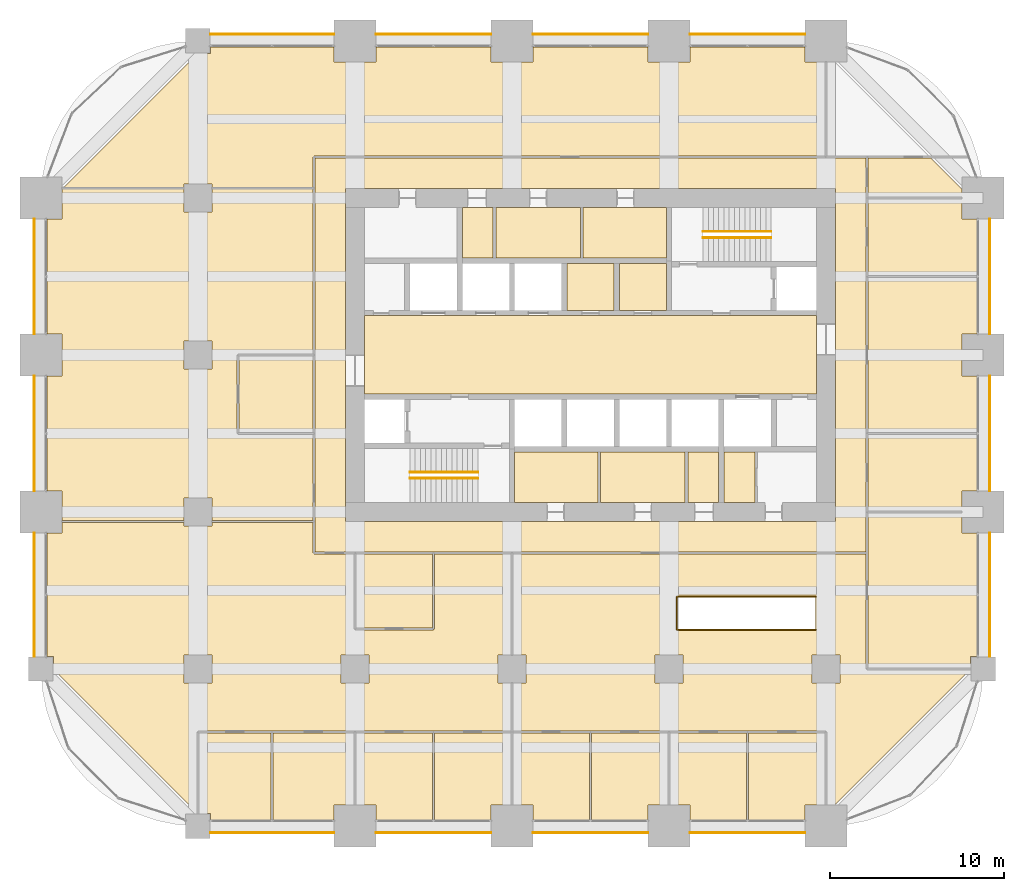
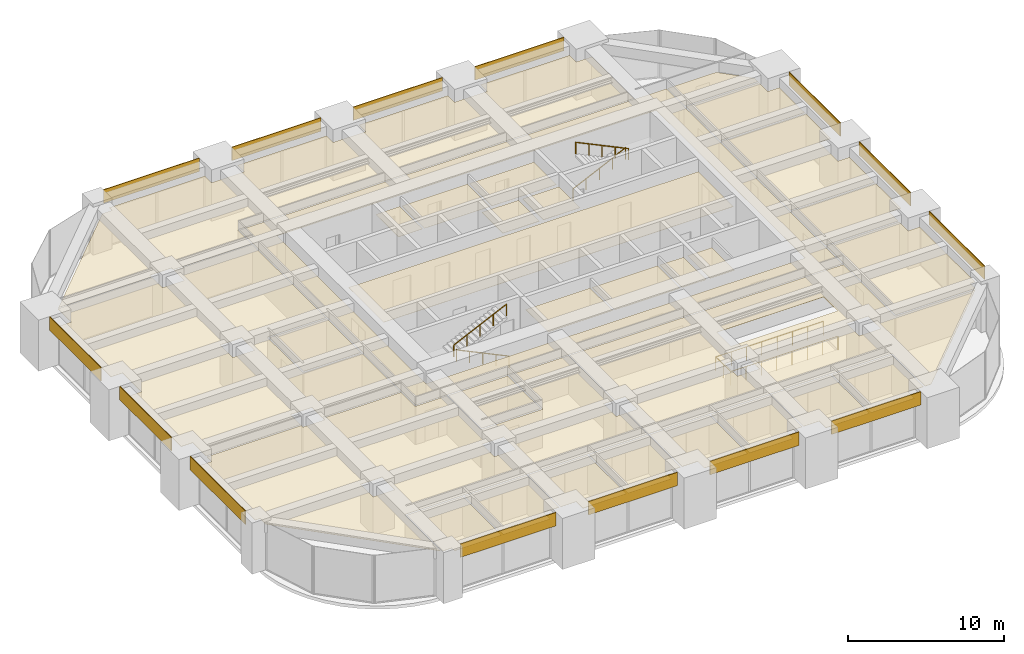
# One storey, part 32 of 33: 44 coverings, 5 railings.
"""IFC4 building model written with IfcOpenShell, lengths in metres."""

from ifc_helpers import new_model, si_unit, direction, frame, frame_2d, origin, origin_2d, place, context, subcontext, project, spatial, polyline, rectangle, circle, outline, extrude, material, layer, layer_set, type_object, element, save


model = new_model("IFC4")

# Units and contexts
model_context = context("Model", 3, precision=1e-05, world=origin(), true_north=direction((0.0, 1.0)))
body_context = subcontext(model_context, "Body", "Model", "MODEL_VIEW")
ifc_project = project(units=[si_unit("LENGTHUNIT", "METRE"), si_unit("AREAUNIT", "SQUARE_METRE"), si_unit("VOLUMEUNIT", "CUBIC_METRE"), si_unit("PLANEANGLEUNIT", "RADIAN"), si_unit("MASSUNIT", "GRAM", prefix="KILO")], contexts=[model_context])

# Site, building, storey
site_placement = place(None, origin())
site = spatial("IfcSite", under=ifc_project, at=site_placement, CompositionType="ELEMENT")
building_placement = place(site_placement, origin())
building = spatial("IfcBuilding", under=site, at=building_placement, Name="Zorevar Civic Tower", CompositionType="ELEMENT")
storey_placement = place(building_placement, frame((0.0, 0.0, 178.199951171875)))
storey = spatial("IfcBuildingStorey", under=building, at=storey_placement, Name="L43", CompositionType="ELEMENT", Elevation=178.199951171875)

# Railings
ifc_material_1 = material(Name="Laminated glass balustrade with black steel handrail", Category="steel")
railing_type_1 = type_object("IfcRailingType", Name="Balustrade BL1 1100", PredefinedType="BALUSTRADE", material=ifc_material_1)
railing_1_placement = place(storey_placement, frame((44.39990234375, 11.25, 0.0)))
element("IfcRailing", 1, at=railing_1_placement, inside=storey, type_object=railing_type_1, Name="Balustrade BL1 stair void L43", PredefinedType="BALUSTRADE", context=body_context, shape_type="SweptSolid", body=[
    extrude(circle(Radius=0.02392578125, at=origin_2d()), frame((0.0, 0.0, 1.076171875), z_axis=(-1.0, 0.0, 0.0), x_axis=(0.0, -1.0, 0.0)), (0.0, 0.0, 1.0), 7.949951171875),
    extrude(circle(Radius=0.02392578125, at=origin_2d()), frame((-7.949951171875, 0.0, 1.076171875), z_axis=(0.0, 1.0, 0.0), x_axis=(-1.0, 0.0, 0.0)), (0.0, 0.0, 1.0), 1.89990234375),
    extrude(circle(Radius=0.02392578125, at=origin_2d()), frame((-7.949951171875, 1.89990234375, 1.076171875), z_axis=(1.0, 0.0, 0.0), x_axis=(0.0, 1.0, 0.0)), (0.0, 0.0, 1.0), 7.949951171875),
    extrude(circle(Radius=0.02099609375, at=origin_2d()), origin(), (0.0, 0.0, 1.0), 1.052001953125),
    extrude(circle(Radius=0.02099609375, at=origin_2d()), frame((-1.1357421875, 0.0, 0.0)), (0.0, 0.0, 1.0), 1.052001953125),
    extrude(circle(Radius=0.02099609375, at=origin_2d()), frame((-2.271484375, 0.0, 0.0)), (0.0, 0.0, 1.0), 1.052001953125),
    extrude(circle(Radius=0.02099609375, at=origin_2d()), frame((-3.4072265625, 0.0, 0.0)), (0.0, 0.0, 1.0), 1.052001953125),
    extrude(circle(Radius=0.02099609375, at=origin_2d()), frame((-4.542724609375, 0.0, 0.0)), (0.0, 0.0, 1.0), 1.052001953125),
    extrude(circle(Radius=0.02099609375, at=origin_2d()), frame((-5.678466796875, 0.0, 0.0)), (0.0, 0.0, 1.0), 1.052001953125),
    extrude(circle(Radius=0.02099609375, at=origin_2d()), frame((-6.814208984375, 0.0, 0.0)), (0.0, 0.0, 1.0), 1.052001953125),
    extrude(circle(Radius=0.02099609375, at=origin_2d()), frame((-7.949951171875, 0.0, 0.0)), (0.0, 0.0, 1.0), 1.052001953125),
    extrude(circle(Radius=0.02099609375, at=origin_2d()), frame((-7.949951171875, 0.949951171875, 0.0)), (0.0, 0.0, 1.0), 1.052001953125),
    extrude(circle(Radius=0.02099609375, at=origin_2d()), frame((-7.949951171875, 1.89990234375, 0.0)), (0.0, 0.0, 1.0), 1.052001953125),
    extrude(circle(Radius=0.02099609375, at=origin_2d()), frame((-6.814208984375, 1.89990234375, 0.0)), (0.0, 0.0, 1.0), 1.052001953125),
    extrude(circle(Radius=0.02099609375, at=origin_2d()), frame((-5.678466796875, 1.89990234375, 0.0)), (0.0, 0.0, 1.0), 1.052001953125),
    extrude(circle(Radius=0.02099609375, at=origin_2d()), frame((-4.542724609375, 1.89990234375, 0.0)), (0.0, 0.0, 1.0), 1.052001953125),
    extrude(circle(Radius=0.02099609375, at=origin_2d()), frame((-3.4072265625, 1.89990234375, 0.0)), (0.0, 0.0, 1.0), 1.052001953125),
    extrude(circle(Radius=0.02099609375, at=origin_2d()), frame((-2.271484375, 1.89990234375, 0.0)), (0.0, 0.0, 1.0), 1.052001953125),
    extrude(circle(Radius=0.02099609375, at=origin_2d()), frame((-1.1357421875, 1.89990234375, 0.0)), (0.0, 0.0, 1.0), 1.052001953125),
    extrude(circle(Radius=0.02099609375, at=origin_2d()), frame((0.0, 1.89990234375, 0.0)), (0.0, 0.0, 1.0), 1.052001953125),
])
ifc_material_2 = material(Name="Black steel handrail", Category="steel")
railing_type_2 = type_object("IfcRailingType", Name="Handrail HR1 900", PredefinedType="HANDRAIL", material=ifc_material_2)
railing_2_placement = place(storey_placement, frame((25.050048828125, 19.925048828125, 0.142822265625)))
element("IfcRailing", 2, at=railing_2_placement, inside=storey, type_object=railing_type_2, Name="Handrail HR1 ST1 L43", PredefinedType="HANDRAIL", context=body_context, shape_type="SweptSolid", body=[
    extrude(circle(Radius=0.02392578125, at=origin_2d()), frame((0.0, 0.0, 0.8759765625), z_axis=(-0.902863652845, 0.0, 0.429926998885), x_axis=(0.0, -1.0, 0.0)), (0.0, 0.0, 1.0), 4.31982421875),
    extrude(circle(Radius=0.02099609375, at=origin_2d()), origin(), (0.0, 0.0, 1.0), 0.851806640625),
    extrude(circle(Radius=0.02099609375, at=origin_2d()), frame((-0.97509765625, 0.0, 0.46435546875)), (0.0, 0.0, 1.0), 0.851806640625),
    extrude(circle(Radius=0.02099609375, at=origin_2d()), frame((-1.9501953125, 0.0, 0.9287109375)), (0.0, 0.0, 1.0), 0.851806640625),
    extrude(circle(Radius=0.02099609375, at=origin_2d()), frame((-2.925048828125, 0.0, 1.392822265625)), (0.0, 0.0, 1.0), 0.851806640625),
    extrude(circle(Radius=0.02099609375, at=origin_2d()), frame((-3.900146484375, 0.0, 1.857177734375)), (0.0, 0.0, 1.0), 0.851806640625),
])
for number, where, name in (
    (3, (21.14990234375, 20.27490234375, 2.142822265625), "Handrail HR1 ST1 L43"),
    (4, (37.949951171875, 34.074951171875, 0.142822265625), "Handrail HR1 ST2 L43"),
):
    element("IfcRailing", number, at=place(storey_placement, frame(where)), inside=storey, type_object=railing_type_2, Name=name, PredefinedType="HANDRAIL", context=body_context, shape_type="SweptSolid", body=[
        extrude(circle(Radius=0.02392578125, at=origin_2d()), frame((0.0, 0.0, 0.8759765625), z_axis=(0.902863652845, 0.0, 0.429926998885), x_axis=(0.0, 1.0, 0.0)), (0.0, 0.0, 1.0), 4.31982421875),
        extrude(circle(Radius=0.02099609375, at=origin_2d()), origin(), (0.0, 0.0, 1.0), 0.851806640625),
        extrude(circle(Radius=0.02099609375, at=origin_2d()), frame((0.97509765625, 0.0, 0.46435546875)), (0.0, 0.0, 1.0), 0.851806640625),
        extrude(circle(Radius=0.02099609375, at=origin_2d()), frame((1.9501953125, 0.0, 0.9287109375)), (0.0, 0.0, 1.0), 0.851806640625),
        extrude(circle(Radius=0.02099609375, at=origin_2d()), frame((2.925048828125, 0.0, 1.392822265625)), (0.0, 0.0, 1.0), 0.851806640625),
        extrude(circle(Radius=0.02099609375, at=origin_2d()), frame((3.900146484375, 0.0, 1.857177734375)), (0.0, 0.0, 1.0), 0.851806640625),
    ])
railing_3_placement = place(storey_placement, frame((41.85009765625, 33.72509765625, 2.142822265625)))
element("IfcRailing", 5, at=railing_3_placement, inside=storey, type_object=railing_type_2, Name="Handrail HR1 ST2 L43", PredefinedType="HANDRAIL", context=body_context, shape_type="SweptSolid", body=[
    extrude(circle(Radius=0.02392578125, at=origin_2d()), frame((0.0, 0.0, 0.8759765625), z_axis=(-0.902863652845, 0.0, 0.429926998885), x_axis=(0.0, -1.0, 0.0)), (0.0, 0.0, 1.0), 4.31982421875),
    extrude(circle(Radius=0.02099609375, at=origin_2d()), origin(), (0.0, 0.0, 1.0), 0.851806640625),
    extrude(circle(Radius=0.02099609375, at=origin_2d()), frame((-0.97509765625, 0.0, 0.46435546875)), (0.0, 0.0, 1.0), 0.851806640625),
    extrude(circle(Radius=0.02099609375, at=origin_2d()), frame((-1.9501953125, 0.0, 0.9287109375)), (0.0, 0.0, 1.0), 0.851806640625),
    extrude(circle(Radius=0.02099609375, at=origin_2d()), frame((-2.925048828125, 0.0, 1.392822265625)), (0.0, 0.0, 1.0), 0.851806640625),
    extrude(circle(Radius=0.02099609375, at=origin_2d()), frame((-3.900146484375, 0.0, 1.857177734375)), (0.0, 0.0, 1.0), 0.851806640625),
])

# Coverings
ifc_material_3 = material(Name="Moisture-resistant gypsum board")
ifc_layer_1 = layer(ifc_material_3, 0.012451171875)
ifc_layer_set_1 = layer_set([ifc_layer_1], Name="Moisture-resistant ceiling SC3")
covering_type_1 = type_object("IfcCoveringType", Name="Moisture-resistant ceiling SC3", PredefinedType="CEILING", material=ifc_layer_set_1)
covering_1_placement = place(storey_placement, frame((0.0, 0.0, 3.0)))
element("IfcCovering", 6, at=covering_1_placement, inside=storey, type_object=covering_type_1, Name="Ceiling L43-05", PredefinedType="CEILING", context=body_context, shape_type="SweptSolid", body=[
    extrude(outline(polyline([(31.925048828125, 18.550048828125), (31.925048828125, 21.449951171875), (27.14990234375, 21.449951171875), (27.14990234375, 18.550048828125), (31.925048828125, 18.550048828125)])), origin(), (0.0, 0.0, 1.0), 0.012451171875),
])
covering_2_placement = place(storey_placement, frame((0.0, 0.0, 3.0)))
element("IfcCovering", 7, at=covering_2_placement, inside=storey, type_object=covering_type_1, Name="Ceiling L43-06", PredefinedType="CEILING", context=body_context, shape_type="SweptSolid", body=[
    extrude(outline(polyline([(36.925048828125, 18.550048828125), (36.925048828125, 21.449951171875), (32.074951171875, 21.449951171875), (32.074951171875, 18.550048828125), (36.925048828125, 18.550048828125)])), origin(), (0.0, 0.0, 1.0), 0.012451171875),
])
covering_3_placement = place(storey_placement, frame((0.0, 0.0, 3.0)))
element("IfcCovering", 8, at=covering_3_placement, inside=storey, type_object=covering_type_1, Name="Ceiling L43-07", PredefinedType="CEILING", context=body_context, shape_type="SweptSolid", body=[
    extrude(outline(polyline([(38.85009765625, 18.550048828125), (38.85009765625, 21.449951171875), (37.074951171875, 21.449951171875), (37.074951171875, 18.550048828125), (38.85009765625, 18.550048828125)])), origin(), (0.0, 0.0, 1.0), 0.012451171875),
])
covering_4_placement = place(storey_placement, frame((0.0, 0.0, 3.0)))
element("IfcCovering", 9, at=covering_4_placement, inside=storey, type_object=covering_type_1, Name="Ceiling L43-08", PredefinedType="CEILING", context=body_context, shape_type="SweptSolid", body=[
    extrude(outline(polyline([(35.85009765625, 32.550048828125), (35.85009765625, 35.449951171875), (31.074951171875, 35.449951171875), (31.074951171875, 32.550048828125), (35.85009765625, 32.550048828125)])), origin(), (0.0, 0.0, 1.0), 0.012451171875),
])
covering_5_placement = place(storey_placement, frame((0.0, 0.0, 3.0)))
element("IfcCovering", 10, at=covering_5_placement, inside=storey, type_object=covering_type_1, Name="Ceiling L43-09", PredefinedType="CEILING", context=body_context, shape_type="SweptSolid", body=[
    extrude(outline(polyline([(30.925048828125, 32.550048828125), (30.925048828125, 35.449951171875), (26.074951171875, 35.449951171875), (26.074951171875, 32.550048828125), (30.925048828125, 32.550048828125)])), origin(), (0.0, 0.0, 1.0), 0.012451171875),
])
covering_6_placement = place(storey_placement, frame((0.0, 0.0, 3.0)))
element("IfcCovering", 11, at=covering_6_placement, inside=storey, type_object=covering_type_1, Name="Ceiling L43-10", PredefinedType="CEILING", context=body_context, shape_type="SweptSolid", body=[
    extrude(outline(polyline([(25.925048828125, 32.550048828125), (25.925048828125, 35.449951171875), (24.14990234375, 35.449951171875), (24.14990234375, 32.550048828125), (25.925048828125, 32.550048828125)])), origin(), (0.0, 0.0, 1.0), 0.012451171875),
])
ifc_material_4 = material(Name="Black anodised aluminium spandrel panel", Category="aluminium")
ifc_layer_2 = layer(ifc_material_4, 0.050048828125)
ifc_layer_set_2 = layer_set([ifc_layer_2], Name="Spandrel cladding SP1")
covering_type_2 = type_object("IfcCoveringType", Name="Spandrel cladding SP1", PredefinedType="CLADDING", material=ifc_layer_set_2)
covering_7_placement = place(storey_placement, frame((9.699951171875, -0.375, 2.949951171875), z_axis=(0.0, 0.0, 1.0), x_axis=(1.0, 0.0, 0.0)))
element("IfcCovering", 12, at=covering_7_placement, inside=storey, type_object=covering_type_2, Name="Spandrel cladding L44", PredefinedType="CLADDING", context=body_context, shape_type="SweptSolid", body=[
    extrude(rectangle(XDim=7.10009765625, YDim=0.050048828125, at=frame_2d((3.550048828125, 0.0))), origin(), (0.0, 0.0, 1.0), 1.050048828125),
])
for number, where, z_axis, x_axis, name in (
    (13, (19.199951171875, -0.375, 2.949951171875), (0.0, 0.0, 1.0), (1.0, 0.0, 0.0), "Spandrel cladding L44"),
    (14, (28.199951171875, -0.375, 2.949951171875), (0.0, 0.0, 1.0), (1.0, 0.0, 0.0), "Spandrel cladding L44"),
    (15, (37.199951171875, -0.375, 2.949951171875), (0.0, 0.0, 1.0), (1.0, 0.0, 0.0), "Spandrel cladding L44"),
):
    element("IfcCovering", number, at=place(storey_placement, frame(where, z_axis=z_axis, x_axis=x_axis)), inside=storey, type_object=covering_type_2, Name=name, PredefinedType="CLADDING", context=body_context, shape_type="SweptSolid", body=[
        extrude(rectangle(XDim=6.60009765625, YDim=0.050048828125, at=frame_2d((3.300048828125, 0.0))), origin(), (0.0, 0.0, 1.0), 1.050048828125),
    ])
covering_8_placement = place(storey_placement, frame((9.699951171875, 45.375, 2.949951171875), z_axis=(0.0, 0.0, 1.0), x_axis=(1.0, 0.0, 0.0)))
element("IfcCovering", 16, at=covering_8_placement, inside=storey, type_object=covering_type_2, Name="Spandrel cladding L44", PredefinedType="CLADDING", context=body_context, shape_type="SweptSolid", body=[
    extrude(rectangle(XDim=7.10009765625, YDim=0.050048828125, at=frame_2d((3.550048828125, 0.0))), origin(), (0.0, 0.0, 1.0), 1.050048828125),
])
for number, where, z_axis, x_axis, name in (
    (17, (19.199951171875, 45.375, 2.949951171875), (0.0, 0.0, 1.0), (1.0, 0.0, 0.0), "Spandrel cladding L44"),
    (18, (28.199951171875, 45.375, 2.949951171875), (0.0, 0.0, 1.0), (1.0, 0.0, 0.0), "Spandrel cladding L44"),
    (19, (37.199951171875, 45.375, 2.949951171875), (0.0, 0.0, 1.0), (1.0, 0.0, 0.0), "Spandrel cladding L44"),
):
    element("IfcCovering", number, at=place(storey_placement, frame(where, z_axis=z_axis, x_axis=x_axis)), inside=storey, type_object=covering_type_2, Name=name, PredefinedType="CLADDING", context=body_context, shape_type="SweptSolid", body=[
        extrude(rectangle(XDim=6.60009765625, YDim=0.050048828125, at=frame_2d((3.300048828125, 0.0))), origin(), (0.0, 0.0, 1.0), 1.050048828125),
    ])
covering_9_placement = place(storey_placement, frame((-0.375, 9.699951171875, 2.949951171875), z_axis=(0.0, 0.0, 1.0), x_axis=(0.0, 1.0, 0.0)))
element("IfcCovering", 20, at=covering_9_placement, inside=storey, type_object=covering_type_2, Name="Spandrel cladding L44", PredefinedType="CLADDING", context=body_context, shape_type="SweptSolid", body=[
    extrude(rectangle(XDim=7.10009765625, YDim=0.050048828125, at=frame_2d((3.550048828125, 0.0))), origin(), (0.0, 0.0, 1.0), 1.050048828125),
])
for number, where, z_axis, x_axis, name in (
    (21, (-0.375, 19.199951171875, 2.949951171875), (0.0, 0.0, 1.0), (0.0, 1.0, 0.0), "Spandrel cladding L44"),
    (22, (-0.375, 28.199951171875, 2.949951171875), (0.0, 0.0, 1.0), (0.0, 1.0, 0.0), "Spandrel cladding L44"),
):
    element("IfcCovering", number, at=place(storey_placement, frame(where, z_axis=z_axis, x_axis=x_axis)), inside=storey, type_object=covering_type_2, Name=name, PredefinedType="CLADDING", context=body_context, shape_type="SweptSolid", body=[
        extrude(rectangle(XDim=6.60009765625, YDim=0.050048828125, at=frame_2d((3.300048828125, 0.0))), origin(), (0.0, 0.0, 1.0), 1.050048828125),
    ])
covering_10_placement = place(storey_placement, frame((54.375, 9.699951171875, 2.949951171875), z_axis=(0.0, 0.0, 1.0), x_axis=(0.0, 1.0, 0.0)))
element("IfcCovering", 23, at=covering_10_placement, inside=storey, type_object=covering_type_2, Name="Spandrel cladding L44", PredefinedType="CLADDING", context=body_context, shape_type="SweptSolid", body=[
    extrude(rectangle(XDim=7.10009765625, YDim=0.050048828125, at=frame_2d((3.550048828125, 0.0))), origin(), (0.0, 0.0, 1.0), 1.050048828125),
])
for number, where, z_axis, x_axis, name in (
    (24, (54.375, 19.199951171875, 2.949951171875), (0.0, 0.0, 1.0), (0.0, 1.0, 0.0), "Spandrel cladding L44"),
    (25, (54.375, 28.199951171875, 2.949951171875), (0.0, 0.0, 1.0), (0.0, 1.0, 0.0), "Spandrel cladding L44"),
):
    element("IfcCovering", number, at=place(storey_placement, frame(where, z_axis=z_axis, x_axis=x_axis)), inside=storey, type_object=covering_type_2, Name=name, PredefinedType="CLADDING", context=body_context, shape_type="SweptSolid", body=[
        extrude(rectangle(XDim=6.60009765625, YDim=0.050048828125, at=frame_2d((3.300048828125, 0.0))), origin(), (0.0, 0.0, 1.0), 1.050048828125),
    ])
ifc_material_5 = material(Name="Mineral fibre tiles on a concealed grid")
ifc_layer_3 = layer(ifc_material_5, 0.02001953125)
ifc_layer_set_3 = layer_set([ifc_layer_3], Name="Suspended ceiling SC1")
covering_type_3 = type_object("IfcCoveringType", Name="Suspended ceiling SC1", PredefinedType="CEILING", material=ifc_layer_set_3)
covering_11_placement = place(storey_placement, frame((0.0, 0.0, 3.0)))
element("IfcCovering", 26, at=covering_11_placement, inside=storey, type_object=covering_type_3, Name="Ceiling L43-11", PredefinedType="CEILING", context=body_context, shape_type="SweptSolid", body=[
    extrude(outline(polyline([(40.93994140625, 18.550048828125), (40.93994140625, 21.449951171875), (39.14990234375, 21.449951171875), (39.14990234375, 18.550048828125), (40.93994140625, 18.550048828125)])), origin(), (0.0, 0.0, 1.0), 0.02001953125),
])
covering_12_placement = place(storey_placement, frame((0.0, 0.0, 3.0)))
element("IfcCovering", 27, at=covering_12_placement, inside=storey, type_object=covering_type_3, Name="Ceiling L43-16", PredefinedType="CEILING", context=body_context, shape_type="SweptSolid", body=[
    extrude(outline(polyline([(44.449951171875, 24.75), (44.449951171875, 29.25), (18.550048828125, 29.25), (18.550048828125, 24.75), (44.449951171875, 24.75)])), origin(), (0.0, 0.0, 1.0), 0.02001953125),
])
covering_13_placement = place(storey_placement, frame((0.0, 0.0, 3.0)))
element("IfcCovering", 28, at=covering_13_placement, inside=storey, type_object=covering_type_3, Name="Ceiling L43-17", PredefinedType="CEILING", context=body_context, shape_type="SweptSolid", body=[
    extrude(outline(polyline([(35.85009765625, 29.550048828125), (35.85009765625, 32.25), (33.14990234375, 32.25), (33.14990234375, 29.550048828125), (35.85009765625, 29.550048828125)])), origin(), (0.0, 0.0, 1.0), 0.02001953125),
])
covering_14_placement = place(storey_placement, frame((0.0, 0.0, 3.0)))
element("IfcCovering", 29, at=covering_14_placement, inside=storey, type_object=covering_type_3, Name="Ceiling L43-18", PredefinedType="CEILING", context=body_context, shape_type="SweptSolid", body=[
    extrude(outline(polyline([(32.85009765625, 29.550048828125), (32.85009765625, 32.25), (30.14990234375, 32.25), (30.14990234375, 29.550048828125), (32.85009765625, 29.550048828125)])), origin(), (0.0, 0.0, 1.0), 0.02001953125),
])
covering_15_placement = place(storey_placement, frame((0.0, 0.0, 3.0)))
element("IfcCovering", 30, at=covering_15_placement, inside=storey, type_object=covering_type_3, Name="Ceiling L43-19", PredefinedType="CEILING", context=body_context, shape_type="SweptSolid", body=[
    extrude(outline(polyline([(53.64990234375, 9.7099609375), (53.2900390625, 9.7099609375), (53.2900390625, 9.06005859375), (47.409912109375, 9.06005859375), (47.409912109375, 17.93994140625), (52.7900390625, 17.93994140625), (52.7900390625, 16.7900390625), (53.64990234375, 16.7900390625), (53.64990234375, 9.7099609375)])), origin(), (0.0, 0.0, 1.0), 0.02001953125),
])
covering_16_placement = place(storey_placement, frame((0.0, 0.0, 3.0)))
element("IfcCovering", 31, at=covering_16_placement, inside=storey, type_object=covering_type_3, Name="Ceiling L43-20", PredefinedType="CEILING", context=body_context, shape_type="SweptSolid", body=[
    extrude(outline(polyline([(47.409912109375, 22.43994140625), (53.64990234375, 22.43994140625), (53.64990234375, 19.2099609375), (52.7900390625, 19.2099609375), (52.7900390625, 18.06005859375), (47.409912109375, 18.06005859375), (47.409912109375, 22.43994140625)])), origin(), (0.0, 0.0, 1.0), 0.02001953125),
])
covering_17_placement = place(storey_placement, frame((0.0, 0.0, 3.0)))
element("IfcCovering", 32, at=covering_17_placement, inside=storey, type_object=covering_type_3, Name="Ceiling L43-21", PredefinedType="CEILING", context=body_context, shape_type="SweptSolid", body=[
    extrude(outline(polyline([(47.409912109375, 31.43994140625), (53.64990234375, 31.43994140625), (53.64990234375, 28.2099609375), (52.7900390625, 28.2099609375), (52.7900390625, 25.7900390625), (53.64990234375, 25.7900390625), (53.64990234375, 22.56005859375), (47.409912109375, 22.56005859375), (47.409912109375, 31.43994140625)])), origin(), (0.0, 0.0, 1.0), 0.02001953125),
])
covering_18_placement = place(storey_placement, frame((0.0, 0.0, 3.0)))
element("IfcCovering", 33, at=covering_18_placement, inside=storey, type_object=covering_type_3, Name="Ceiling L43-22", PredefinedType="CEILING", context=body_context, shape_type="SweptSolid", body=[
    extrude(outline(polyline([(47.409912109375, 35.93994140625), (52.7900390625, 35.93994140625), (52.7900390625, 34.7900390625), (53.64990234375, 34.7900390625), (53.64990234375, 31.56005859375), (47.409912109375, 31.56005859375), (47.409912109375, 35.93994140625)])), origin(), (0.0, 0.0, 1.0), 0.02001953125),
])
covering_19_placement = place(storey_placement, frame((0.0, 0.0, 3.0)))
element("IfcCovering", 34, at=covering_19_placement, inside=storey, type_object=covering_type_3, Name="Ceiling L43-23", PredefinedType="CEILING", context=body_context, shape_type="SweptSolid", body=[
    extrude(outline(polyline([(13.18994140625, 5.340087890625), (13.18994140625, 0.35009765625), (9.7099609375, 0.35009765625), (9.7099609375, 0.7099609375), (9.06005859375, 0.7099609375), (9.06005859375, 5.340087890625), (13.18994140625, 5.340087890625)])), origin(), (0.0, 0.0, 1.0), 0.02001953125),
])
covering_20_placement = place(storey_placement, frame((0.0, 0.0, 3.0)))
element("IfcCovering", 35, at=covering_20_placement, inside=storey, type_object=covering_type_3, Name="Ceiling L43-24", PredefinedType="CEILING", context=body_context, shape_type="SweptSolid", body=[
    extrude(outline(polyline([(17.93994140625, 5.340087890625), (17.93994140625, 1.2099609375), (16.7900390625, 1.2099609375), (16.7900390625, 0.35009765625), (13.31005859375, 0.35009765625), (13.31005859375, 5.340087890625), (17.93994140625, 5.340087890625)])), origin(), (0.0, 0.0, 1.0), 0.02001953125),
])
covering_21_placement = place(storey_placement, frame((0.0, 0.0, 3.0)))
element("IfcCovering", 36, at=covering_21_placement, inside=storey, type_object=covering_type_3, Name="Ceiling L43-25", PredefinedType="CEILING", context=body_context, shape_type="SweptSolid", body=[
    extrude(outline(polyline([(22.43994140625, 5.340087890625), (22.43994140625, 0.35009765625), (19.2099609375, 0.35009765625), (19.2099609375, 1.2099609375), (18.06005859375, 1.2099609375), (18.06005859375, 5.340087890625), (22.43994140625, 5.340087890625)])), origin(), (0.0, 0.0, 1.0), 0.02001953125),
])
covering_22_placement = place(storey_placement, frame((0.0, 0.0, 3.0)))
element("IfcCovering", 37, at=covering_22_placement, inside=storey, type_object=covering_type_3, Name="Ceiling L43-26", PredefinedType="CEILING", context=body_context, shape_type="SweptSolid", body=[
    extrude(outline(polyline([(26.93994140625, 5.340087890625), (26.93994140625, 1.2099609375), (25.7900390625, 1.2099609375), (25.7900390625, 0.35009765625), (22.56005859375, 0.35009765625), (22.56005859375, 5.340087890625), (26.93994140625, 5.340087890625)])), origin(), (0.0, 0.0, 1.0), 0.02001953125),
])
covering_23_placement = place(storey_placement, frame((0.0, 0.0, 3.0)))
element("IfcCovering", 38, at=covering_23_placement, inside=storey, type_object=covering_type_3, Name="Ceiling L43-27", PredefinedType="CEILING", context=body_context, shape_type="SweptSolid", body=[
    extrude(outline(polyline([(31.43994140625, 5.340087890625), (31.43994140625, 0.35009765625), (28.2099609375, 0.35009765625), (28.2099609375, 1.2099609375), (27.06005859375, 1.2099609375), (27.06005859375, 5.340087890625), (31.43994140625, 5.340087890625)])), origin(), (0.0, 0.0, 1.0), 0.02001953125),
])
covering_24_placement = place(storey_placement, frame((0.0, 0.0, 3.0)))
element("IfcCovering", 39, at=covering_24_placement, inside=storey, type_object=covering_type_3, Name="Ceiling L43-28", PredefinedType="CEILING", context=body_context, shape_type="SweptSolid", body=[
    extrude(outline(polyline([(35.93994140625, 5.340087890625), (35.93994140625, 1.2099609375), (34.7900390625, 1.2099609375), (34.7900390625, 0.35009765625), (31.56005859375, 0.35009765625), (31.56005859375, 5.340087890625), (35.93994140625, 5.340087890625)])), origin(), (0.0, 0.0, 1.0), 0.02001953125),
])
covering_25_placement = place(storey_placement, frame((0.0, 0.0, 3.0)))
element("IfcCovering", 40, at=covering_25_placement, inside=storey, type_object=covering_type_3, Name="Ceiling L43-29", PredefinedType="CEILING", context=body_context, shape_type="SweptSolid", body=[
    extrude(outline(polyline([(40.43994140625, 5.340087890625), (40.43994140625, 0.35009765625), (37.2099609375, 0.35009765625), (37.2099609375, 1.2099609375), (36.06005859375, 1.2099609375), (36.06005859375, 5.340087890625), (40.43994140625, 5.340087890625)])), origin(), (0.0, 0.0, 1.0), 0.02001953125),
])
covering_26_placement = place(storey_placement, frame((0.0, 0.0, 3.0)))
element("IfcCovering", 41, at=covering_26_placement, inside=storey, type_object=covering_type_3, Name="Ceiling L43-30", PredefinedType="CEILING", context=body_context, shape_type="SweptSolid", body=[
    extrude(outline(polyline([(44.93994140625, 5.340087890625), (44.93994140625, 1.2099609375), (43.7900390625, 1.2099609375), (43.7900390625, 0.35009765625), (40.56005859375, 0.35009765625), (40.56005859375, 5.340087890625), (44.93994140625, 5.340087890625)])), origin(), (0.0, 0.0, 1.0), 0.02001953125),
])
covering_27_placement = place(storey_placement, frame((0.0, 0.0, 3.0)))
element("IfcCovering", 42, at=covering_27_placement, inside=storey, type_object=covering_type_3, Name="Ceiling L43-31", PredefinedType="CEILING", context=body_context, shape_type="SweptSolid", body=[
    extrude(outline(polyline([(18.06005859375, 15.590087890625), (22.43994140625, 15.590087890625), (22.43994140625, 11.360107421875), (18.06005859375, 11.360107421875), (18.06005859375, 15.590087890625)])), origin(), (0.0, 0.0, 1.0), 0.02001953125),
])
covering_28_placement = place(storey_placement, frame((0.0, 0.0, 3.0)))
element("IfcCovering", 43, at=covering_28_placement, inside=storey, type_object=covering_type_3, Name="Ceiling L43-32", PredefinedType="CEILING", context=body_context, shape_type="SweptSolid", body=[
    extrude(outline(polyline([(15.590087890625, 22.56005859375), (11.360107421875, 22.56005859375), (11.360107421875, 26.93994140625), (15.590087890625, 26.93994140625), (15.590087890625, 22.56005859375)])), origin(), (0.0, 0.0, 1.0), 0.02001953125),
])
covering_29_placement = place(storey_placement, frame((0.0, 0.0, 3.0)))
element("IfcCovering", 44, at=covering_29_placement, inside=storey, type_object=covering_type_3, Name="Ceiling L43-34", PredefinedType="CEILING", context=body_context, shape_type="SweptSolid", body=[
    extrude(outline(polyline([(15.699951171875, 38.300048828125), (47.300048828125, 38.300048828125), (47.300048828125, 36.0), (47.2900390625, 36.0), (47.2900390625, 15.699951171875), (22.5, 15.699951171875), (22.5, 15.7099609375), (18.0, 15.7099609375), (18.0, 15.699951171875), (15.699951171875, 15.699951171875), (15.699951171875, 22.5), (15.7099609375, 22.5), (15.7099609375, 27.0), (15.699951171875, 27.0), (15.699951171875, 38.300048828125)]), holes=[polyline([(17.449951171875, 36.550048828125), (17.449951171875, 17.449951171875), (45.550048828125, 17.449951171875), (45.550048828125, 36.550048828125), (17.449951171875, 36.550048828125)])]), origin(), (0.0, 0.0, 1.0), 0.02001953125),
])
covering_30_placement = place(storey_placement, frame((0.0, 0.0, 3.0)))
element("IfcCovering", 45, at=covering_30_placement, inside=storey, type_object=covering_type_3, Name="Ceiling L43-35", PredefinedType="CEILING", context=body_context, shape_type="SweptSolid", body=[
    extrude(outline(polyline([(15.64990234375, 38.39990234375), (15.64990234375, 38.35009765625), (15.60009765625, 38.35009765625), (15.60009765625, 36.60009765625), (9.81005859375, 36.60009765625), (9.81005859375, 36.81005859375), (8.18994140625, 36.81005859375), (8.18994140625, 36.60009765625), (1.30712890625, 36.60009765625), (8.9970703125, 44.2900390625), (9.7099609375, 44.2900390625), (9.7099609375, 44.64990234375), (16.7900390625, 44.64990234375), (16.7900390625, 43.7900390625), (19.2099609375, 43.7900390625), (19.2099609375, 44.64990234375), (25.7900390625, 44.64990234375), (25.7900390625, 43.7900390625), (28.2099609375, 43.7900390625), (28.2099609375, 44.64990234375), (34.7900390625, 44.64990234375), (34.7900390625, 43.7900390625), (37.2099609375, 43.7900390625), (37.2099609375, 44.64990234375), (43.7900390625, 44.64990234375), (43.7900390625, 43.7900390625), (44.949951171875, 43.7900390625), (44.949951171875, 38.39990234375), (15.64990234375, 38.39990234375)])), origin(), (0.0, 0.0, 1.0), 0.02001953125),
])
covering_31_placement = place(storey_placement, frame((0.0, 0.0, 3.0)))
element("IfcCovering", 46, at=covering_31_placement, inside=storey, type_object=covering_type_3, Name="Ceiling L43-36", PredefinedType="CEILING", context=body_context, shape_type="SweptSolid", body=[
    extrude(outline(polyline([(50.993896484375, 38.299072265625), (52.7900390625, 36.5029296875), (52.7900390625, 36.06005859375), (47.39990234375, 36.06005859375), (47.40087890625, 38.299072265625), (50.993896484375, 38.299072265625)])), origin(), (0.0, 0.0, 1.0), 0.02001953125),
])
covering_32_placement = place(storey_placement, frame((0.0, 0.0, 3.0)))
element("IfcCovering", 47, at=covering_32_placement, inside=storey, type_object=covering_type_3, Name="Ceiling L43-37", PredefinedType="CEILING", context=body_context, shape_type="SweptSolid", body=[
    extrude(outline(polyline([(1.2099609375, 17.39990234375), (8.18994140625, 17.39990234375), (8.18994140625, 17.18994140625), (9.81005859375, 17.18994140625), (9.81005859375, 17.39990234375), (15.60009765625, 17.39990234375), (15.60009765625, 15.64990234375), (15.64990234375, 15.64990234375), (15.64990234375, 15.60009765625), (17.93994140625, 15.60009765625), (17.93994140625, 11.300048828125), (18.0, 11.300048828125), (18.0, 11.239990234375), (22.5, 11.239990234375), (22.5, 11.300048828125), (22.56005859375, 11.300048828125), (22.56005859375, 15.60009765625), (26.949951171875, 15.60009765625), (26.949951171875, 9.81005859375), (26.18994140625, 9.81005859375), (26.18994140625, 8.18994140625), (26.949951171875, 8.18994140625), (26.949951171875, 5.4599609375), (9.0, 5.4599609375), (9.0, 5.39990234375), (8.93994140625, 5.39990234375), (8.93994140625, 0.76708984375), (0.7099609375, 8.9970703125), (0.7099609375, 9.7099609375), (0.35009765625, 9.7099609375), (0.35009765625, 16.7900390625), (1.2099609375, 16.7900390625), (1.2099609375, 17.39990234375)]), holes=[polyline([(9.81005859375, 9.81005859375), (8.18994140625, 9.81005859375), (8.18994140625, 8.18994140625), (9.81005859375, 8.18994140625), (9.81005859375, 9.81005859375)]), polyline([(17.18994140625, 8.18994140625), (18.81005859375, 8.18994140625), (18.81005859375, 9.81005859375), (17.18994140625, 9.81005859375), (17.18994140625, 8.18994140625)])]), origin(), (0.0, 0.0, 1.0), 0.02001953125),
])
covering_33_placement = place(storey_placement, frame((0.0, 0.0, 3.0)))
element("IfcCovering", 48, at=covering_33_placement, inside=storey, type_object=covering_type_3, Name="Ceiling L43-38", PredefinedType="CEILING", context=body_context, shape_type="SweptSolid", body=[
    extrude(outline(polyline([(45.06005859375, 5.39990234375), (45.0, 5.39990234375), (45.0, 5.4599609375), (27.050048828125, 5.4599609375), (27.050048828125, 8.18994140625), (27.81005859375, 8.18994140625), (27.81005859375, 9.81005859375), (27.050048828125, 9.81005859375), (27.050048828125, 15.60009765625), (47.2900390625, 15.60009765625), (47.2900390625, 9.0), (47.35009765625, 9.0), (47.35009765625, 8.93994140625), (53.23291015625, 8.93994140625), (45.5029296875, 1.2099609375), (45.06005859375, 1.2099609375), (45.06005859375, 5.39990234375)]), holes=[polyline([(44.39990234375, 13.10009765625), (36.5, 13.10009765625), (36.5, 11.300048828125), (44.39990234375, 11.300048828125), (44.39990234375, 13.10009765625)]), polyline([(36.81005859375, 9.81005859375), (35.18994140625, 9.81005859375), (35.18994140625, 8.18994140625), (36.81005859375, 8.18994140625), (36.81005859375, 9.81005859375)]), polyline([(44.18994140625, 8.18994140625), (45.81005859375, 8.18994140625), (45.81005859375, 9.81005859375), (44.18994140625, 9.81005859375), (44.18994140625, 8.18994140625)])]), origin(), (0.0, 0.0, 1.0), 0.02001953125),
])
covering_34_placement = place(storey_placement, frame((0.0, 0.0, 3.0)))
element("IfcCovering", 49, at=covering_34_placement, inside=storey, type_object=covering_type_3, Name="Ceiling L43-39", PredefinedType="CEILING", context=body_context, shape_type="SweptSolid", body=[
    extrude(outline(polyline([(8.18994140625, 18.81005859375), (8.18994140625, 17.5), (1.2099609375, 17.5), (1.2099609375, 19.2099609375), (0.35009765625, 19.2099609375), (0.35009765625, 25.7900390625), (1.2099609375, 25.7900390625), (1.2099609375, 28.2099609375), (0.35009765625, 28.2099609375), (0.35009765625, 34.7900390625), (1.2099609375, 34.7900390625), (1.2099609375, 36.5), (8.18994140625, 36.5), (8.18994140625, 35.18994140625), (9.81005859375, 35.18994140625), (9.81005859375, 36.5), (15.60009765625, 36.5), (15.60009765625, 27.06005859375), (11.300048828125, 27.06005859375), (11.300048828125, 27.0), (11.239990234375, 27.0), (11.239990234375, 22.5), (11.300048828125, 22.5), (11.300048828125, 22.43994140625), (15.60009765625, 22.43994140625), (15.60009765625, 17.5), (9.81005859375, 17.5), (9.81005859375, 18.81005859375), (8.18994140625, 18.81005859375)]), holes=[polyline([(8.18994140625, 27.81005859375), (8.18994140625, 26.18994140625), (9.81005859375, 26.18994140625), (9.81005859375, 27.81005859375), (8.18994140625, 27.81005859375)])]), origin(), (0.0, 0.0, 1.0), 0.02001953125),
])

save(model, "model.ifc")
